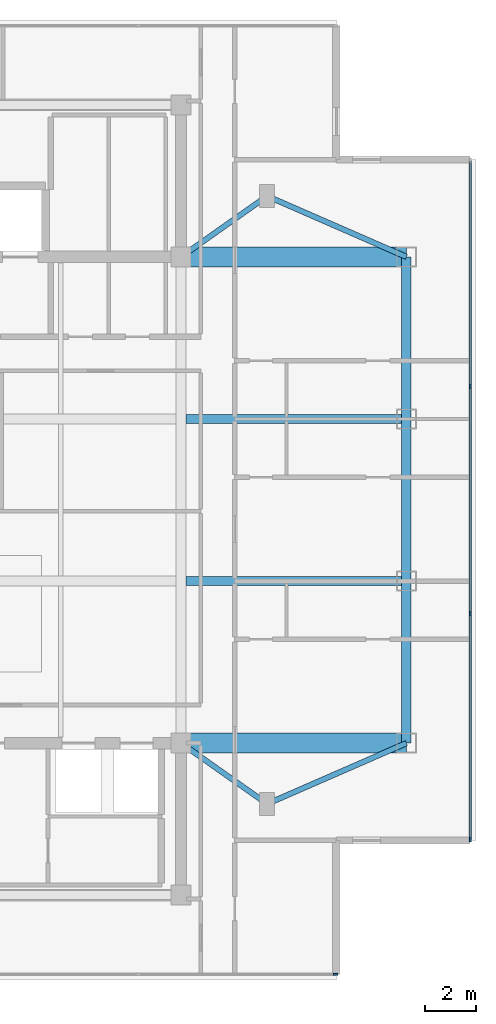
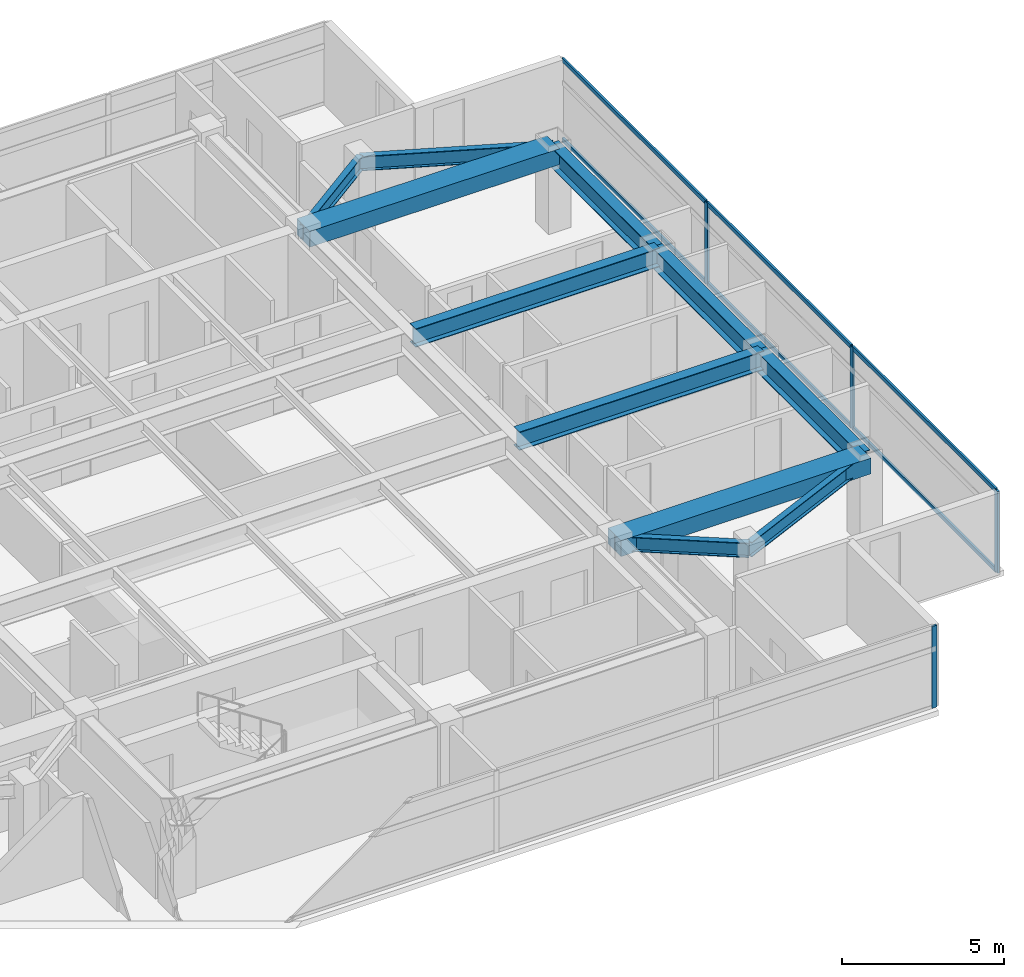
# One storey, part 4 of 15: 11 beams, 10 members, 2 elements without a shape of their own.
"""IFC4 building model written with IfcOpenShell, lengths in metres."""

from ifc_helpers import new_model, si_unit, direction, frame, origin, origin_2d, place, context, subcontext, project, spatial, rectangle, i_section, extrude, material, material_profile, profile_set, type_object, element, aggregate, save


model = new_model("IFC4")

# Units and contexts
model_context = context("Model", 3, precision=1e-05, world=origin(), true_north=direction((0.0, 1.0)))
body_context = subcontext(model_context, "Body", "Model", "MODEL_VIEW")
ifc_project = project(units=[si_unit("LENGTHUNIT", "METRE"), si_unit("AREAUNIT", "SQUARE_METRE"), si_unit("VOLUMEUNIT", "CUBIC_METRE"), si_unit("PLANEANGLEUNIT", "RADIAN"), si_unit("MASSUNIT", "GRAM", prefix="KILO")], contexts=[model_context])

# Site, building, storey
site_placement = place(None, origin())
site = spatial("IfcSite", under=ifc_project, at=site_placement, CompositionType="ELEMENT")
building_placement = place(site_placement, origin())
building = spatial("IfcBuilding", under=site, at=building_placement, Name="Mirazonda Arch Towers", CompositionType="ELEMENT")
storey_placement = place(building_placement, frame((0.0, 0.0, 229.300048828125)))
storey = spatial("IfcBuildingStorey", under=building, at=storey_placement, Name="L65", CompositionType="ELEMENT", Elevation=229.300048828125)

# Beams
ifc_material_1 = material(Name="Steel ASTM A992 Grade 50", Category="steel")
ifc_material_profile_1 = material_profile(ifc_material_1, i_section(OverallWidth=0.381103515625, OverallDepth=0.77294921875, WebThickness=0.0166015625, FlangeThickness=0.027099609375, at=origin_2d()), Name="W30X173")
ifc_profile_set_1 = profile_set([ifc_material_profile_1], Name="Steel ASTM A992 Grade 50")
beam_type_1 = type_object("IfcBeamType", Name="BM-EXT-W30X173", PredefinedType="USERDEFINED", material=ifc_profile_set_1)
beam_1_placement = place(storey_placement, frame((38.89990234375, 18.39990234375, 2.71337890625), z_axis=(0.0, 1.0, 0.0), x_axis=(-1.0, 0.0, 0.0)))
element("IfcBeam", 1, at=beam_1_placement, inside=storey, type_object=beam_type_1, Name="L65 Floor Beam BM-T1-L65-NS-E-18", ObjectType="GIRDER", PredefinedType="USERDEFINED", context=body_context, shape_type="SweptSolid", body=[
    extrude(i_section(OverallWidth=0.381103515625, OverallDepth=0.77294921875, WebThickness=0.0166015625, FlangeThickness=0.027099609375, at=origin_2d()), origin(), (0.0, 0.0, 1.0), 6.400146484375),
])
beam_2_placement = place(storey_placement, frame((38.89990234375, 24.800048828125, 2.71337890625), z_axis=(0.0, 1.0, 0.0), x_axis=(-1.0, 0.0, 0.0)))
element("IfcBeam", 2, at=beam_2_placement, inside=storey, type_object=beam_type_1, Name="L65 Floor Beam BM-T1-L65-NS-E-24", ObjectType="GIRDER", PredefinedType="USERDEFINED", context=body_context, shape_type="SweptSolid", body=[
    extrude(i_section(OverallWidth=0.381103515625, OverallDepth=0.77294921875, WebThickness=0.0166015625, FlangeThickness=0.027099609375, at=origin_2d()), origin(), (0.0, 0.0, 1.0), 6.39990234375),
])
beam_3_placement = place(storey_placement, frame((38.89990234375, 31.199951171875, 2.71337890625), z_axis=(0.0, 1.0, 0.0), x_axis=(-1.0, 0.0, 0.0)))
element("IfcBeam", 3, at=beam_3_placement, inside=storey, type_object=beam_type_1, Name="L65 Floor Beam BM-T1-L65-NS-E-31", ObjectType="GIRDER", PredefinedType="USERDEFINED", context=body_context, shape_type="SweptSolid", body=[
    extrude(i_section(OverallWidth=0.381103515625, OverallDepth=0.77294921875, WebThickness=0.0166015625, FlangeThickness=0.027099609375, at=origin_2d()), origin(), (0.0, 0.0, 1.0), 6.400146484375),
])
ifc_material_profile_2 = material_profile(ifc_material_1, i_section(OverallWidth=0.214111328125, OverallDepth=0.549072265625, WebThickness=0.0146484375, FlangeThickness=0.023681640625, at=origin_2d()), Name="W21X93")
ifc_profile_set_2 = profile_set([ifc_material_profile_2], Name="Steel ASTM A992 Grade 50")
beam_type_2 = type_object("IfcBeamType", Name="BM-INT-W21X93", PredefinedType="BEAM", material=ifc_profile_set_2)
beam_4_placement = place(storey_placement, frame((33.39990234375, 16.0, 2.825439453125), z_axis=(-0.816971114901, 0.576678591087, 0.0), x_axis=(-0.576678591087, -0.816971114901, 0.0)))
element("IfcBeam", 4, at=beam_4_placement, inside=storey, type_object=beam_type_2, Name="L65 Floor Beam BM-T1-L65-PL-SE1", PredefinedType="BEAM", context=body_context, shape_type="SweptSolid", body=[
    extrude(i_section(OverallWidth=0.214111328125, OverallDepth=0.549072265625, WebThickness=0.0146484375, FlangeThickness=0.023681640625, at=origin_2d()), origin(), (0.0, 0.0, 1.0), 4.16162109375),
])
beam_5_placement = place(storey_placement, frame((33.39990234375, 16.0, 2.825439453125), z_axis=(0.916545343703, 0.399930785183, 0.0), x_axis=(-0.399930785183, 0.916545343703, 0.0)))
element("IfcBeam", 5, at=beam_5_placement, inside=storey, type_object=beam_type_2, Name="L65 Floor Beam BM-T1-L65-PL-SE2", PredefinedType="BEAM", context=body_context, shape_type="SweptSolid", body=[
    extrude(i_section(OverallWidth=0.214111328125, OverallDepth=0.549072265625, WebThickness=0.0146484375, FlangeThickness=0.023681640625, at=origin_2d()), origin(), (0.0, 0.0, 1.0), 6.000732421875),
])
beam_6_placement = place(storey_placement, frame((33.39990234375, 40.0, 2.825439453125), z_axis=(-0.816971114901, -0.576678591087, 0.0), x_axis=(0.576678591087, -0.816971114901, 0.0)))
element("IfcBeam", 6, at=beam_6_placement, inside=storey, type_object=beam_type_2, Name="L65 Floor Beam BM-T1-L65-PL-NE1", PredefinedType="BEAM", context=body_context, shape_type="SweptSolid", body=[
    extrude(i_section(OverallWidth=0.214111328125, OverallDepth=0.549072265625, WebThickness=0.0146484375, FlangeThickness=0.023681640625, at=origin_2d()), origin(), (0.0, 0.0, 1.0), 4.16162109375),
])
beam_7_placement = place(storey_placement, frame((33.39990234375, 40.0, 2.825439453125), z_axis=(0.916545343703, -0.399930785183, 0.0), x_axis=(0.399930785183, 0.916545343703, 0.0)))
element("IfcBeam", 7, at=beam_7_placement, inside=storey, type_object=beam_type_2, Name="L65 Floor Beam BM-T1-L65-PL-NE2", PredefinedType="BEAM", context=body_context, shape_type="SweptSolid", body=[
    extrude(i_section(OverallWidth=0.214111328125, OverallDepth=0.549072265625, WebThickness=0.0146484375, FlangeThickness=0.023681640625, at=origin_2d()), origin(), (0.0, 0.0, 1.0), 6.000732421875),
])
ifc_material_profile_3 = material_profile(ifc_material_1, i_section(OverallWidth=0.35498046875, OverallDepth=0.696044921875, WebThickness=0.015380859375, FlangeThickness=0.02490234375, at=origin_2d()), Name="W27X146")
ifc_profile_set_3 = profile_set([ifc_material_profile_3], Name="Steel ASTM A992 Grade 50")
beam_type_3 = type_object("IfcBeamType", Name="BM-INT-W27X146", PredefinedType="BEAM", material=ifc_profile_set_3)
for number, where, z_axis, x_axis, name in (
    (8, (30.199951171875, 24.800048828125, 2.751953125), (1.0, 0.0, 0.0), (0.0, 1.0, 0.0), "L65 Floor Beam BM-T1-L65-GE2"),
    (9, (30.199951171875, 31.199951171875, 2.751953125), (1.0, 0.0, 0.0), (0.0, 1.0, 0.0), "L65 Floor Beam BM-T1-L65-GE3"),
):
    element("IfcBeam", number, at=place(storey_placement, frame(where, z_axis=z_axis, x_axis=x_axis)), inside=storey, type_object=beam_type_3, Name=name, PredefinedType="BEAM", context=body_context, shape_type="SweptSolid", body=[
        extrude(i_section(OverallWidth=0.35498046875, OverallDepth=0.696044921875, WebThickness=0.015380859375, FlangeThickness=0.02490234375, at=origin_2d()), origin(), (0.0, 0.0, 1.0), 8.699951171875),
    ])
ifc_material_2 = material(Name="Concrete C60/75", Category="concrete")
ifc_material_profile_4 = material_profile(ifc_material_2, rectangle(XDim=0.800048828125, YDim=0.60009765625, at=origin_2d()), Name="RCCB800x600")
ifc_profile_set_4 = profile_set([ifc_material_profile_4], Name="Concrete C60/75")
beam_type_4 = type_object("IfcBeamType", Name="CB-INT-RCCB800x600", PredefinedType="SPANDREL", material=ifc_profile_set_4)
for number, where, z_axis, x_axis, name in (
    (10, (30.0, 37.60009765625, 2.800048828125), (1.0, 0.0, 0.0), (0.0, 1.0, 0.0), "L65 Floor Beam CBC-T1-L65-NE"),
    (11, (30.0, 18.39990234375, 2.800048828125), (1.0, 0.0, 0.0), (0.0, 1.0, 0.0), "L65 Floor Beam CBC-T1-L65-SE"),
):
    element("IfcBeam", number, at=place(storey_placement, frame(where, z_axis=z_axis, x_axis=x_axis)), inside=storey, type_object=beam_type_4, Name=name, PredefinedType="SPANDREL", context=body_context, shape_type="SweptSolid", body=[
        extrude(rectangle(XDim=0.800048828125, YDim=0.60009765625, at=origin_2d()), origin(), (0.0, 0.0, 1.0), 8.89990234375),
    ])

# Curtain wall, member
ifc_material_3 = material(Name="Anodised Aluminium and Low-E Glass", Category="aluminium")
curtain_wall_type = type_object("IfcCurtainWallType", Name="CW-RES-UNIT", PredefinedType="NOTDEFINED", material=ifc_material_3)
curtain_wall_1_placement = place(storey_placement, origin())
curtain_wall_1 = element("IfcCurtainWall", 12, at=curtain_wall_1_placement, inside=storey, type_object=curtain_wall_type, Name="L65 T1 S Facade CW-L65-T1-S", PredefinedType="NOTDEFINED")
ifc_material_4 = material(Name="Anodised Aluminium Alloy", Category="aluminium")
ifc_material_profile_5 = material_profile(ifc_material_4, rectangle(XDim=0.074951171875, YDim=0.175048828125, at=origin_2d()), Name="ALU-MULL-75x175")
ifc_profile_set_5 = profile_set([ifc_material_profile_5], Name="Anodised Aluminium Alloy")
member_type_1 = type_object("IfcMemberType", Name="MULL-CW-RES-UNIT", PredefinedType="MULLION", material=ifc_profile_set_5)
member_1_placement = place(storey_placement, frame((36.092529296875, 9.26611328125, 0.0), z_axis=(0.0, 0.0, 1.0), x_axis=(0.0, -1.0, 0.0)))
member_1 = element("IfcMember", 13, at=member_1_placement, type_object=member_type_1, Name="CW-104 mullion 1", PredefinedType="MULLION", context=body_context, shape_type="SweptSolid", body=[
    extrude(rectangle(XDim=0.074951171875, YDim=0.175048828125, at=origin_2d()), origin(), (0.0, 0.0, 1.0), 3.079833984375),
])
aggregate(curtain_wall_1, [member_1])

# Curtain wall, members
curtain_wall_2_placement = place(storey_placement, origin())
curtain_wall_2 = element("IfcCurtainWall", 14, at=curtain_wall_2_placement, inside=storey, type_object=curtain_wall_type, Name="L65 T1 E Facade CW-L65-T1-E", PredefinedType="NOTDEFINED")
member_2_placement = place(storey_placement, frame((41.419921875, 14.593505859375, 0.0), z_axis=(0.0, 0.0, 1.0), x_axis=(-1.0, 0.0, 0.0)))
member_2 = element("IfcMember", 15, at=member_2_placement, type_object=member_type_1, Name="CW-104 mullion 1", PredefinedType="MULLION", context=body_context, shape_type="SweptSolid", body=[
    extrude(rectangle(XDim=0.074951171875, YDim=0.175048828125, at=origin_2d()), origin(), (0.0, 0.0, 1.0), 3.079833984375),
])
member_3_placement = place(storey_placement, frame((41.419921875, 23.5185546875, 0.0), z_axis=(0.0, 0.0, 1.0), x_axis=(-1.0, 0.0, 0.0)))
member_3 = element("IfcMember", 16, at=member_3_placement, type_object=member_type_1, Name="CW-104 mullion 2", PredefinedType="MULLION", context=body_context, shape_type="SweptSolid", body=[
    extrude(rectangle(XDim=0.074951171875, YDim=0.175048828125, at=origin_2d()), origin(), (0.0, 0.0, 1.0), 3.079833984375),
])
member_4_placement = place(storey_placement, frame((41.419921875, 32.4814453125, 0.0), z_axis=(0.0, 0.0, 1.0), x_axis=(-1.0, 0.0, 0.0)))
member_4 = element("IfcMember", 17, at=member_4_placement, type_object=member_type_1, Name="CW-104 mullion 3", PredefinedType="MULLION", context=body_context, shape_type="SweptSolid", body=[
    extrude(rectangle(XDim=0.074951171875, YDim=0.175048828125, at=origin_2d()), origin(), (0.0, 0.0, 1.0), 3.079833984375),
])
ifc_material_profile_6 = material_profile(ifc_material_4, rectangle(XDim=0.074951171875, YDim=0.155029296875, at=origin_2d()), Name="ALU-TRAN-75x155")
ifc_profile_set_6 = profile_set([ifc_material_profile_6], Name="Anodised Aluminium Alloy")
member_type_2 = type_object("IfcMemberType", Name="TRAN-CW-RES-UNIT", PredefinedType="USERDEFINED", material=ifc_profile_set_6)
member_5_placement = place(storey_placement, frame((41.419921875, 14.631103515625, 0.037353515625), z_axis=(0.0, 1.0, 0.0), x_axis=(-1.0, 0.0, 0.0)))
member_5 = element("IfcMember", 18, at=member_5_placement, type_object=member_type_2, Name="CW-104 transom 1.1", ObjectType="TRANSOM", PredefinedType="USERDEFINED", context=body_context, shape_type="SweptSolid", body=[
    extrude(rectangle(XDim=0.074951171875, YDim=0.155029296875, at=origin_2d()), origin(), (0.0, 0.0, 1.0), 8.85009765625),
])
member_6_placement = place(storey_placement, frame((41.419921875, 14.631103515625, 3.04248046875), z_axis=(0.0, 1.0, 0.0), x_axis=(-1.0, 0.0, 0.0)))
member_6 = element("IfcMember", 19, at=member_6_placement, type_object=member_type_2, Name="CW-104 transom 1.2", ObjectType="TRANSOM", PredefinedType="USERDEFINED", context=body_context, shape_type="SweptSolid", body=[
    extrude(rectangle(XDim=0.074951171875, YDim=0.155029296875, at=origin_2d()), origin(), (0.0, 0.0, 1.0), 8.85009765625),
])
member_7_placement = place(storey_placement, frame((41.419921875, 23.55615234375, 0.037353515625), z_axis=(0.0, 1.0, 0.0), x_axis=(-1.0, 0.0, 0.0)))
member_7 = element("IfcMember", 20, at=member_7_placement, type_object=member_type_2, Name="CW-104 transom 2.1", ObjectType="TRANSOM", PredefinedType="USERDEFINED", context=body_context, shape_type="SweptSolid", body=[
    extrude(rectangle(XDim=0.074951171875, YDim=0.155029296875, at=origin_2d()), origin(), (0.0, 0.0, 1.0), 8.8876953125),
])
member_8_placement = place(storey_placement, frame((41.419921875, 23.55615234375, 3.04248046875), z_axis=(0.0, 1.0, 0.0), x_axis=(-1.0, 0.0, 0.0)))
member_8 = element("IfcMember", 21, at=member_8_placement, type_object=member_type_2, Name="CW-104 transom 2.2", ObjectType="TRANSOM", PredefinedType="USERDEFINED", context=body_context, shape_type="SweptSolid", body=[
    extrude(rectangle(XDim=0.074951171875, YDim=0.155029296875, at=origin_2d()), origin(), (0.0, 0.0, 1.0), 8.8876953125),
])
member_9_placement = place(storey_placement, frame((41.419921875, 32.518798828125, 0.037353515625), z_axis=(0.0, 1.0, 0.0), x_axis=(-1.0, 0.0, 0.0)))
member_9 = element("IfcMember", 22, at=member_9_placement, type_object=member_type_2, Name="CW-104 transom 3.1", ObjectType="TRANSOM", PredefinedType="USERDEFINED", context=body_context, shape_type="SweptSolid", body=[
    extrude(rectangle(XDim=0.074951171875, YDim=0.155029296875, at=origin_2d()), origin(), (0.0, 0.0, 1.0), 8.85009765625),
])
member_10_placement = place(storey_placement, frame((41.419921875, 32.518798828125, 3.04248046875), z_axis=(0.0, 1.0, 0.0), x_axis=(-1.0, 0.0, 0.0)))
member_10 = element("IfcMember", 23, at=member_10_placement, type_object=member_type_2, Name="CW-104 transom 3.2", ObjectType="TRANSOM", PredefinedType="USERDEFINED", context=body_context, shape_type="SweptSolid", body=[
    extrude(rectangle(XDim=0.074951171875, YDim=0.155029296875, at=origin_2d()), origin(), (0.0, 0.0, 1.0), 8.85009765625),
])
aggregate(curtain_wall_2, [member_2, member_3, member_4, member_5, member_6, member_7, member_8, member_9, member_10])

save(model, "model.ifc")
